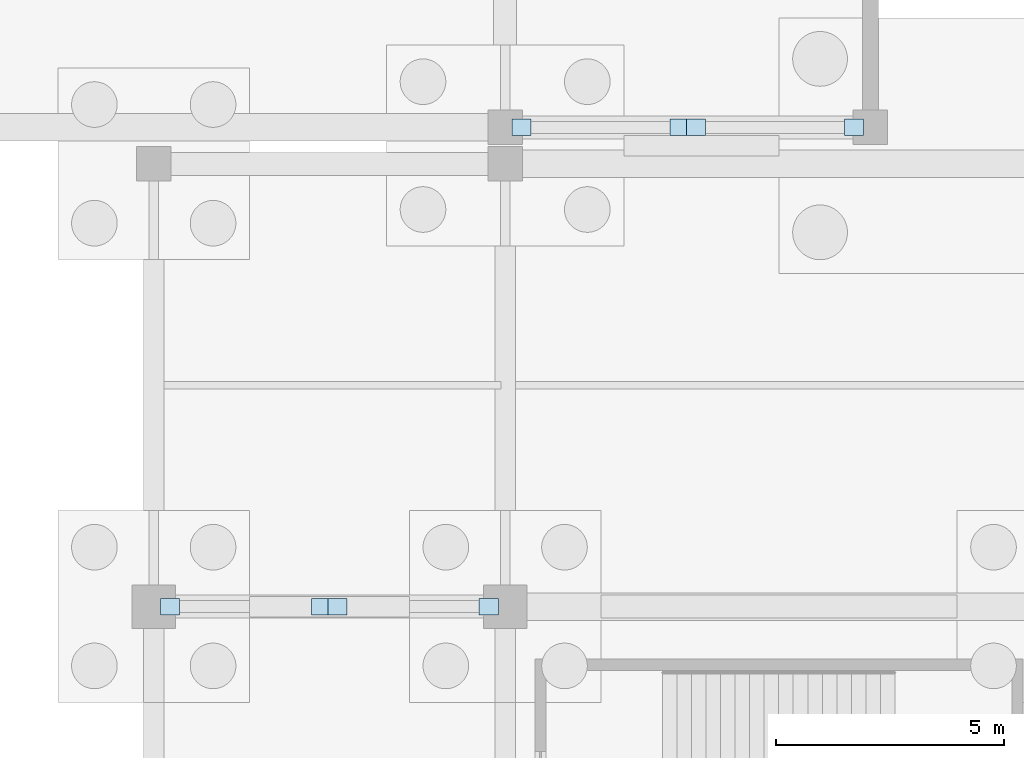
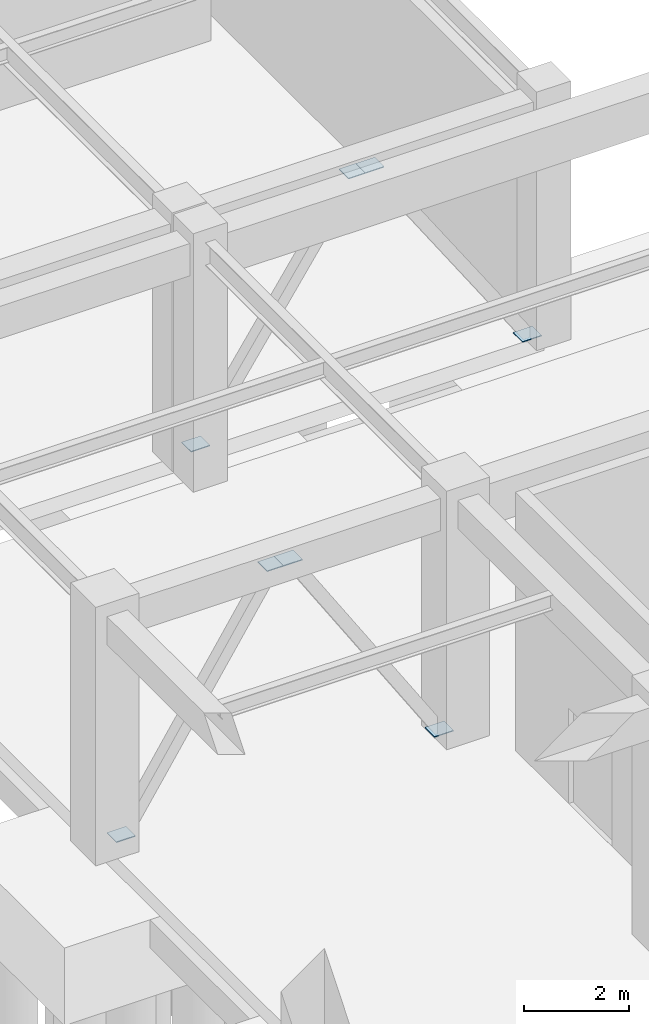
# One storey, part 80 of 121: 8 plates.
"""IFC4 building model written with IfcOpenShell, lengths in metres."""

from ifc_helpers import new_model, si_unit, direction, frame, origin, origin_2d, place, context, subcontext, project, spatial, rectangle, extrude, material, layer, layer_set, type_object, element, save


model = new_model("IFC4")

# Units and contexts
model_context = context("Model", 3, precision=1e-05, world=origin(), true_north=direction((0.0, 1.0)))
body_context = subcontext(model_context, "Body", "Model", "MODEL_VIEW")
ifc_project = project(units=[si_unit("LENGTHUNIT", "METRE"), si_unit("AREAUNIT", "SQUARE_METRE"), si_unit("VOLUMEUNIT", "CUBIC_METRE"), si_unit("PLANEANGLEUNIT", "RADIAN"), si_unit("MASSUNIT", "GRAM", prefix="KILO")], contexts=[model_context])

# Site, building, storey
site_placement = place(None, origin())
site = spatial("IfcSite", under=ifc_project, at=site_placement, CompositionType="ELEMENT")
building_placement = place(site_placement, origin())
building = spatial("IfcBuilding", under=site, at=building_placement, Name="Cuetzalor Civic Arena", CompositionType="ELEMENT")
storey_placement = place(building_placement, origin())
storey = spatial("IfcBuildingStorey", under=building, at=storey_placement, Name="L00", CompositionType="ELEMENT", Elevation=0.0)

# Plates
ifc_material = material(Name="Steel S355", Category="steel")
ifc_layer = layer(ifc_material, 0.02001953125)
ifc_layer_set = layer_set([ifc_layer], Name="Steel S355")
plate_type = type_object("IfcPlateType", Name="TubeEndCapPlate_CP01", PredefinedType="SHEET", material=ifc_layer_set)
for number, where, z_axis, x_axis, name in (
    (1, (64.360107421875, 35.5, 0.139892578125), (0.0, 0.0, 1.0), (1.0, 0.0, 0.0), "Brace End Cap Plate 007-1"),
    (2, (67.820068359375, 35.5, 5.27001953125), (0.0, 0.0, 1.0), (1.0, 0.0, 0.0), "Brace End Cap Plate 007-2"),
    (3, (71.639892578125, 35.5, 0.139892578125), (0.0, 0.0, 1.0), (1.0, 0.0, 0.0), "Brace End Cap Plate 008-1"),
    (4, (68.179931640625, 35.5, 5.27001953125), (0.0, 0.0, 1.0), (1.0, 0.0, 0.0), "Brace End Cap Plate 008-2"),
    (5, (56.659912109375, 25.0, 0.139892578125), (0.0, 0.0, 1.0), (1.0, 0.0, 0.0), "Brace End Cap Plate 023-1"),
    (6, (59.969970703125, 25.0, 5.27001953125), (0.0, 0.0, 1.0), (1.0, 0.0, 0.0), "Brace End Cap Plate 023-2"),
    (7, (63.639892578125, 25.0, 0.139892578125), (0.0, 0.0, 1.0), (1.0, 0.0, 0.0), "Brace End Cap Plate 024-1"),
    (8, (60.330078125, 25.0, 5.27001953125), (0.0, 0.0, 1.0), (1.0, 0.0, 0.0), "Brace End Cap Plate 024-2"),
):
    element("IfcPlate", number, at=place(storey_placement, frame(where, z_axis=z_axis, x_axis=x_axis)), inside=storey, type_object=plate_type, Name=name, PredefinedType="SHEET", context=body_context, shape_type="SweptSolid", body=[
        extrude(rectangle(XDim=0.419921875, YDim=0.360107421875, at=origin_2d()), origin(), (0.0, 0.0, 1.0), 0.02001953125),
    ])

save(model, "model.ifc")
